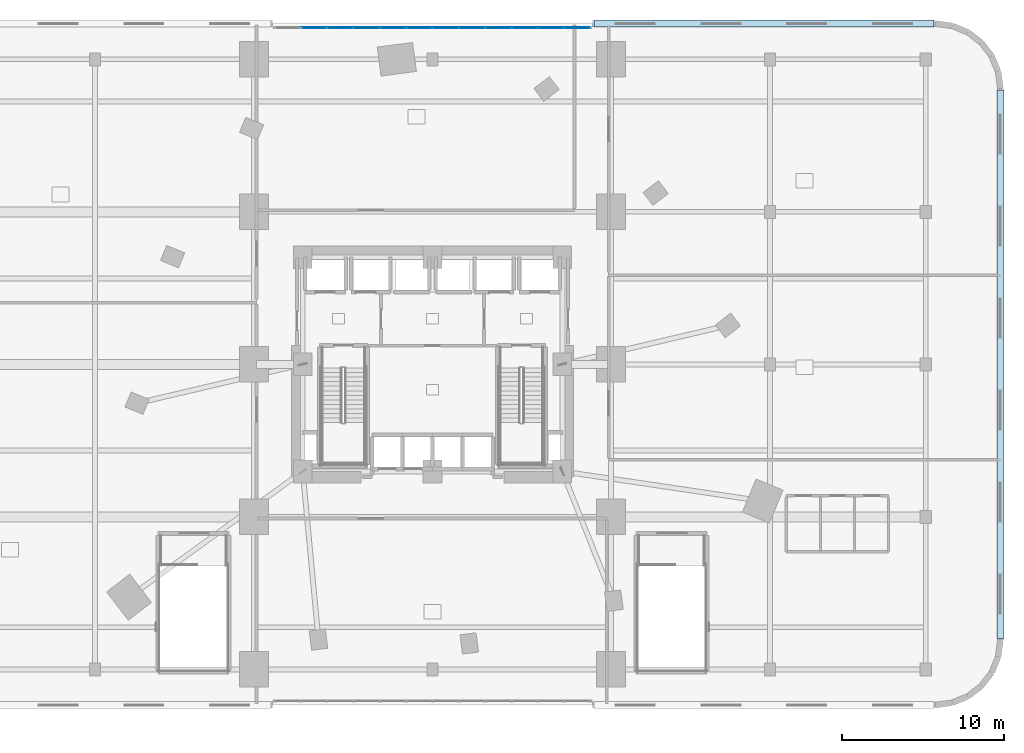
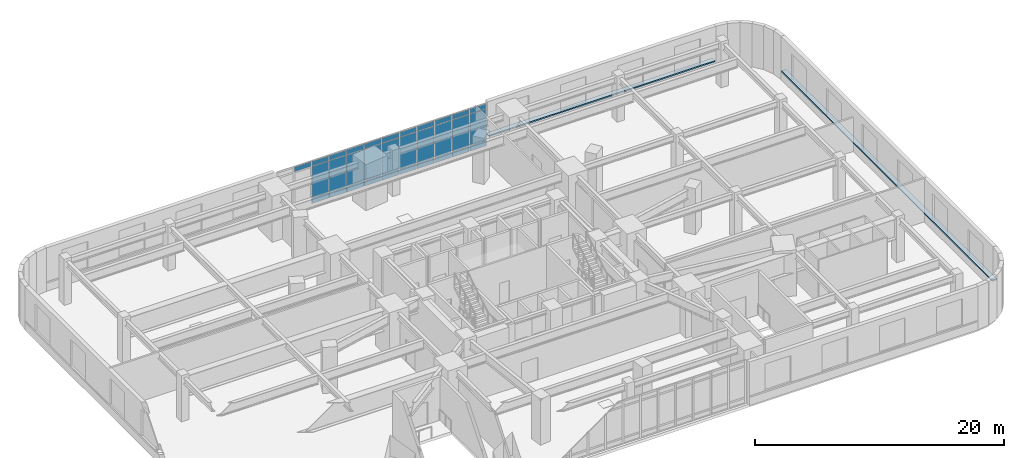
# One storey, part 12 of 20: 33 plates, 1 element without a shape of its own.
"""IFC4 building model written with IfcOpenShell, lengths in metres."""

import ifcopenshell
import ifcopenshell.guid

model = None  # the IFC model being written
_history = None  # IfcOwnerHistory: only IFC2X3 demands one
_inside = {}  # id of a spatial element -> (the spatial element, [elements in it])
_under = {}  # id of a project, library or spatial element -> (it, [spatial elements below it])
_declared = {}  # id of a project -> (the project, [libraries it declares])
_typed = {}  # id of a type object -> (the type object, [elements of that type])
_made_of = {}  # id of a material, layer set ... -> (it, [elements and type objects made of it])


def new_model(schema):
    """Start an empty IFC model of exactly this schema.

    Asked for "IFC4X3", IfcOpenShell would pick the latest addendum, in which some entities
    have other attributes; the version numbers below select the first issue.
    IFC2X3 requires an IfcOwnerHistory on every rooted entity: one is made here for all.
    """
    global model, _history
    if schema == "IFC4X3":
        model = ifcopenshell.file(schema_version=(4, 3, 0, 0))
    else:
        model = ifcopenshell.file(schema=schema)
    _inside.clear()
    _under.clear()
    _declared.clear()
    _typed.clear()
    _made_of.clear()
    _history = None
    if model.schema == "IFC2X3":
        org = make("IfcOrganization", Name="unknown")
        user = make(
            "IfcPersonAndOrganization",
            ThePerson=make("IfcPerson", FamilyName="unknown"),
            TheOrganization=org,
        )
        app = make(
            "IfcApplication",
            ApplicationDeveloper=org,
            Version="unknown",
            ApplicationFullName="unknown",
            ApplicationIdentifier="unknown",
        )
        _history = make(
            "IfcOwnerHistory",
            OwningUser=user,
            OwningApplication=app,
            ChangeAction="ADDED",
            CreationDate=0,
        )
    return model


def make(cls, **values):
    """One entity of the class cls with the attributes given. An attribute that is None is left unset."""
    return model.create_entity(
        cls, **{name: value for name, value in values.items() if value is not None}
    )


def rooted(cls, **values):
    """An entity with a GlobalId (a new one), such as an element, a storey or a relation."""
    return make(cls, GlobalId=ifcopenshell.guid.new(), OwnerHistory=_history, **values)


def si_unit(unit_type, name, prefix=None):
    """IfcSIUnit, for example si_unit("LENGTHUNIT", "METRE", prefix="MILLI")."""
    return make("IfcSIUnit", UnitType=unit_type, Prefix=prefix, Name=name)


def assignment(units):
    """IfcUnitAssignment: the units of a project."""
    return None if units is None else make("IfcUnitAssignment", Units=units)


def point(xyz):
    """IfcCartesianPoint."""
    return None if xyz is None else make("IfcCartesianPoint", Coordinates=xyz)


def direction(xyz):
    """IfcDirection."""
    return None if xyz is None else make("IfcDirection", DirectionRatios=xyz)


def frame(location, z_axis=None, x_axis=None):
    """IfcAxis2Placement3D, a coordinate frame: its origin and axes. An axis left out is left unset."""
    return make(
        "IfcAxis2Placement3D",
        Location=point(location),
        Axis=direction(z_axis),
        RefDirection=direction(x_axis),
    )


def frame_2d(location, x_axis=None):
    """IfcAxis2Placement2D, a coordinate frame in the plane: its origin and x axis."""
    return make(
        "IfcAxis2Placement2D", Location=point(location), RefDirection=direction(x_axis)
    )


def origin():
    """The frame at (0, 0, 0) with its axes left unset."""
    return frame((0.0, 0.0, 0.0))


def origin_2d():
    """The frame at (0, 0) in the plane with its x axis left unset."""
    return frame_2d((0.0, 0.0))


def place(relative_to, where):
    """IfcLocalPlacement: puts the frame where relative to a parent placement (None: the world)."""
    return make(
        "IfcLocalPlacement", PlacementRelTo=relative_to, RelativePlacement=where
    )


def context(
    kind, dimensions, precision=None, world=None, true_north=None, identifier=None
):
    """IfcGeometricRepresentationContext, for example the 3D "Model" context."""
    return make(
        "IfcGeometricRepresentationContext",
        ContextIdentifier=identifier,
        ContextType=kind,
        CoordinateSpaceDimension=dimensions,
        Precision=precision,
        WorldCoordinateSystem=world,
        TrueNorth=true_north,
    )


def subcontext(parent, identifier, kind, view, scale=None):
    """IfcGeometricRepresentationSubContext, for example "Body" below "Model"."""
    return make(
        "IfcGeometricRepresentationSubContext",
        ContextIdentifier=identifier,
        ContextType=kind,
        ParentContext=parent,
        TargetScale=scale,
        TargetView=view,
    )


def project(units=None, contexts=None):
    """IfcProject with its units and contexts."""
    return rooted(
        "IfcProject",
        Name="project",
        RepresentationContexts=contexts,
        UnitsInContext=assignment(units),
    )


def spatial(cls, under=None, at=None, **own):
    """A site, building, storey or space (cls), placed at a placement, below another one or the project."""
    s = rooted(cls, ObjectPlacement=at, **own)
    if under is not None:
        _under.setdefault(under.id(), (under, []))[1].append(s)
    return s


def profile(cls, at=None, kind="AREA", **sizes):
    """A parametric profile (cls). Its sizes go by their IFC names, for example OverallWidth=200.0."""
    return make(cls, ProfileType=kind, Position=at, **sizes)


def rectangle(**sizes):
    """IfcRectangleProfileDef."""
    return profile("IfcRectangleProfileDef", **sizes)


def extrude(swept, where, along, depth):
    """IfcExtrudedAreaSolid: the profile swept, set in the frame where, extruded along a direction by depth."""
    return make(
        "IfcExtrudedAreaSolid",
        SweptArea=swept,
        Position=where,
        ExtrudedDirection=direction(along),
        Depth=depth,
    )


def shape(context_of_items, identifier, shape_type, items):
    """IfcShapeRepresentation: the items that make up one representation, for example the "Body"."""
    return make(
        "IfcShapeRepresentation",
        ContextOfItems=context_of_items,
        RepresentationIdentifier=identifier,
        RepresentationType=shape_type,
        Items=items,
    )


def material(Name=None, Category=None):
    """IfcMaterial."""
    return make("IfcMaterial", Name=Name, Category=Category)


def layer(
    of_material, thickness, ventilated=None, Name=None, Category=None, Priority=None
):
    """IfcMaterialLayer: one layer of a wall or slab, of a material (None: an air gap)."""
    return make(
        "IfcMaterialLayer",
        Material=of_material,
        LayerThickness=thickness,
        IsVentilated=ventilated,
        Name=Name,
        Category=Category,
        Priority=Priority,
    )


def layer_set(layers, Name=None):
    """IfcMaterialLayerSet."""
    return make("IfcMaterialLayerSet", MaterialLayers=layers, LayerSetName=Name)


def made_of(thing, what):
    """Note that an element or type object is made of a material, layer set ...; save() writes the relation."""
    if what is not None:
        _made_of.setdefault(what.id(), (what, []))[1].append(thing)
    return thing


def type_object(cls, material=None, **own):
    """A type object (cls), such as IfcWallType, which elements share."""
    return made_of(rooted(cls, **own), material)


def element(
    cls,
    number,
    at=None,
    inside=None,
    cuts=None,
    type_object=None,
    material=None,
    context=None,
    identifier="Body",
    shape_type=None,
    held_by="IfcProductDefinitionShape",
    body=None,
    shapes=None,
    **own,
):
    """One element of the class cls, such as IfcWall. Its Tag is "e" and its number.

    at: its placement. inside: the storey or other place that contains it. cuts: it is an
    opening in that element (IfcRelVoidsElement). A single representation is given by context,
    identifier, shape_type and body (its items); several are given by shapes. held_by: the class
    of the entity that holds the representations. save() writes the other relations.
    """
    e = rooted(cls, Tag="e%d" % number, ObjectPlacement=at, **own)
    if body is not None:
        shapes = [shape(context, identifier, shape_type, body)]
    if shapes is not None:
        e.Representation = make(held_by, Representations=shapes)
    if inside is not None:
        _inside.setdefault(inside.id(), (inside, []))[1].append(e)
    if cuts is not None:
        rooted(
            "IfcRelVoidsElement", RelatingBuildingElement=cuts, RelatedOpeningElement=e
        )
    if type_object is not None:
        _typed.setdefault(type_object.id(), (type_object, []))[1].append(e)
    return made_of(e, material)


def aggregate(whole, parts):
    """IfcRelAggregates: a whole, such as a stair, and the parts it consists of."""
    return rooted("IfcRelAggregates", RelatingObject=whole, RelatedObjects=parts)


def save(model, path):
    """Write the relations noted so far, then the file.

    IfcRelAggregates (storeys below a building ...), IfcRelContainedInSpatialStructure (elements
    in a storey), IfcRelDefinesByType, IfcRelAssociatesMaterial and IfcRelDeclares: one each for
    every whole, place, type object, material and project.
    """
    for whole, parts in _under.values():
        aggregate(whole, parts)
    for where, things in _inside.values():
        rooted(
            "IfcRelContainedInSpatialStructure",
            RelatedElements=things,
            RelatingStructure=where,
        )
    for kind, things in _typed.values():
        rooted("IfcRelDefinesByType", RelatedObjects=things, RelatingType=kind)
    for what, things in _made_of.values():
        rooted("IfcRelAssociatesMaterial", RelatedObjects=things, RelatingMaterial=what)
    for by, libraries in _declared.values():
        rooted("IfcRelDeclares", RelatingContext=by, RelatedDefinitions=libraries)
    model.write(path)


model = new_model("IFC4")

# Units and contexts
model_context = context("Model", 3, precision=1e-05, world=origin(), true_north=direction((0.0, 1.0)))
body_context = subcontext(model_context, "Body", "Model", "MODEL_VIEW")
ifc_project = project(units=[si_unit("LENGTHUNIT", "METRE"), si_unit("AREAUNIT", "SQUARE_METRE"), si_unit("VOLUMEUNIT", "CUBIC_METRE"), si_unit("PLANEANGLEUNIT", "RADIAN"), si_unit("MASSUNIT", "GRAM", prefix="KILO")], contexts=[model_context])

# Site, building, storey
site_placement = place(None, origin())
site = spatial("IfcSite", under=ifc_project, at=site_placement, CompositionType="ELEMENT")
building_placement = place(site_placement, origin())
building = spatial("IfcBuilding", under=site, at=building_placement, Name="Ndelora Gate Hotel", CompositionType="ELEMENT")
storey_placement = place(building_placement, frame((0.0, 0.0, 26.0)))
storey = spatial("IfcBuildingStorey", under=building, at=storey_placement, Name="L05", CompositionType="ELEMENT", Elevation=26.0)

# Curtain wall, plates
ifc_material_1 = material(Name="Bronze Anodised Unitised Aluminium and Low-E Glass", Category="aluminium")
ifc_layer_1 = layer(ifc_material_1, 0.219970703125)
ifc_layer_set_1 = layer_set([ifc_layer_1], Name="Bronze Anodised Unitised Aluminium and Low-E Glass")
curtain_wall_type = type_object("IfcCurtainWallType", Name="CW-SYS-2", PredefinedType="NOTDEFINED", material=ifc_layer_set_1)
curtain_wall_placement = place(storey_placement, origin())
curtain_wall = element("IfcCurtainWall", 1, at=curtain_wall_placement, inside=storey, type_object=curtain_wall_type, Name="L05 North Banquet Pre-Function Curtain Wall CW2", PredefinedType="NOTDEFINED")
ifc_material_2 = material(Name="Solar-Control Low-E Insulated Glazing", Category="glass")
ifc_layer_2 = layer(ifc_material_2, 0.048095703125)
ifc_layer_set_2 = layer_set([ifc_layer_2], Name="Solar-Control Low-E Insulated Glazing")
plate_type_1 = type_object("IfcPlateType", Name="PL-CW-GLZ36", PredefinedType="CURTAIN_PANEL", material=ifc_layer_set_2)
plate_1_placement = place(storey_placement, frame((8.919921875, 20.75, 0.05908203125), z_axis=(0.0, 0.0, 1.0), x_axis=(-1.0, 0.0, 0.0)))
plate_1 = element("IfcPlate", 2, at=plate_1_placement, type_object=plate_type_1, Name="CW2 panel 1.1", PredefinedType="CURTAIN_PANEL", context=body_context, shape_type="SweptSolid", body=[
    extrude(rectangle(XDim=1.531982421875, YDim=0.048095703125, at=origin_2d()), origin(), (0.0, 0.0, 1.0), 0.514404296875),
])
plate_2_placement = place(storey_placement, frame((8.919921875, 20.75, 0.62646484375), z_axis=(0.0, 0.0, 1.0), x_axis=(-1.0, 0.0, 0.0)))
plate_2 = element("IfcPlate", 3, at=plate_2_placement, type_object=plate_type_1, Name="CW2 panel 1.2", PredefinedType="CURTAIN_PANEL", context=body_context, shape_type="SweptSolid", body=[
    extrude(rectangle(XDim=1.531982421875, YDim=0.048095703125, at=origin_2d()), origin(), (0.0, 0.0, 1.0), 3.047119140625),
])
plate_3_placement = place(storey_placement, frame((8.919921875, 20.75, 3.7265625), z_axis=(0.0, 0.0, 1.0), x_axis=(-1.0, 0.0, 0.0)))
plate_3 = element("IfcPlate", 4, at=plate_3_placement, type_object=plate_type_1, Name="CW2 panel 1.3", PredefinedType="CURTAIN_PANEL", context=body_context, shape_type="SweptSolid", body=[
    extrude(rectangle(XDim=1.531982421875, YDim=0.048095703125, at=origin_2d()), origin(), (0.0, 0.0, 1.0), 0.464599609375),
])
plate_4_placement = place(storey_placement, frame((7.3125, 20.75, 0.05908203125), z_axis=(0.0, 0.0, 1.0), x_axis=(-1.0, 0.0, 0.0)))
plate_4 = element("IfcPlate", 5, at=plate_4_placement, type_object=plate_type_1, Name="CW2 panel 2.1", PredefinedType="CURTAIN_PANEL", context=body_context, shape_type="SweptSolid", body=[
    extrude(rectangle(XDim=1.56689453125, YDim=0.048095703125, at=origin_2d()), origin(), (0.0, 0.0, 1.0), 0.514404296875),
])
plate_5_placement = place(storey_placement, frame((7.3125, 20.75, 0.62646484375), z_axis=(0.0, 0.0, 1.0), x_axis=(-1.0, 0.0, 0.0)))
plate_5 = element("IfcPlate", 6, at=plate_5_placement, type_object=plate_type_1, Name="CW2 panel 2.2", PredefinedType="CURTAIN_PANEL", context=body_context, shape_type="SweptSolid", body=[
    extrude(rectangle(XDim=1.56689453125, YDim=0.048095703125, at=origin_2d()), origin(), (0.0, 0.0, 1.0), 3.047119140625),
])
plate_6_placement = place(storey_placement, frame((7.3125, 20.75, 3.7265625), z_axis=(0.0, 0.0, 1.0), x_axis=(-1.0, 0.0, 0.0)))
plate_6 = element("IfcPlate", 7, at=plate_6_placement, type_object=plate_type_1, Name="CW2 panel 2.3", PredefinedType="CURTAIN_PANEL", context=body_context, shape_type="SweptSolid", body=[
    extrude(rectangle(XDim=1.56689453125, YDim=0.048095703125, at=origin_2d()), origin(), (0.0, 0.0, 1.0), 0.464599609375),
])
plate_7_placement = place(storey_placement, frame((5.6875, 20.75, 0.05908203125), z_axis=(0.0, 0.0, 1.0), x_axis=(-1.0, 0.0, 0.0)))
plate_7 = element("IfcPlate", 8, at=plate_7_placement, type_object=plate_type_1, Name="CW2 panel 3.1", PredefinedType="CURTAIN_PANEL", context=body_context, shape_type="SweptSolid", body=[
    extrude(rectangle(XDim=1.56689453125, YDim=0.048095703125, at=origin_2d()), origin(), (0.0, 0.0, 1.0), 0.514404296875),
])
plate_8_placement = place(storey_placement, frame((5.6875, 20.75, 0.62646484375), z_axis=(0.0, 0.0, 1.0), x_axis=(-1.0, 0.0, 0.0)))
plate_8 = element("IfcPlate", 9, at=plate_8_placement, type_object=plate_type_1, Name="CW2 panel 3.2", PredefinedType="CURTAIN_PANEL", context=body_context, shape_type="SweptSolid", body=[
    extrude(rectangle(XDim=1.56689453125, YDim=0.048095703125, at=origin_2d()), origin(), (0.0, 0.0, 1.0), 3.047119140625),
])
plate_9_placement = place(storey_placement, frame((5.6875, 20.75, 3.7265625), z_axis=(0.0, 0.0, 1.0), x_axis=(-1.0, 0.0, 0.0)))
plate_9 = element("IfcPlate", 10, at=plate_9_placement, type_object=plate_type_1, Name="CW2 panel 3.3", PredefinedType="CURTAIN_PANEL", context=body_context, shape_type="SweptSolid", body=[
    extrude(rectangle(XDim=1.56689453125, YDim=0.048095703125, at=origin_2d()), origin(), (0.0, 0.0, 1.0), 0.464599609375),
])
plate_10_placement = place(storey_placement, frame((4.0625, 20.75, 0.05908203125), z_axis=(0.0, 0.0, 1.0), x_axis=(-1.0, 0.0, 0.0)))
plate_10 = element("IfcPlate", 11, at=plate_10_placement, type_object=plate_type_1, Name="CW2 panel 4.1", PredefinedType="CURTAIN_PANEL", context=body_context, shape_type="SweptSolid", body=[
    extrude(rectangle(XDim=1.56689453125, YDim=0.048095703125, at=origin_2d()), origin(), (0.0, 0.0, 1.0), 0.514404296875),
])
plate_11_placement = place(storey_placement, frame((4.0625, 20.75, 0.62646484375), z_axis=(0.0, 0.0, 1.0), x_axis=(-1.0, 0.0, 0.0)))
plate_11 = element("IfcPlate", 12, at=plate_11_placement, type_object=plate_type_1, Name="CW2 panel 4.2", PredefinedType="CURTAIN_PANEL", context=body_context, shape_type="SweptSolid", body=[
    extrude(rectangle(XDim=1.56689453125, YDim=0.048095703125, at=origin_2d()), origin(), (0.0, 0.0, 1.0), 3.047119140625),
])
plate_12_placement = place(storey_placement, frame((4.0625, 20.75, 3.7265625), z_axis=(0.0, 0.0, 1.0), x_axis=(-1.0, 0.0, 0.0)))
plate_12 = element("IfcPlate", 13, at=plate_12_placement, type_object=plate_type_1, Name="CW2 panel 4.3", PredefinedType="CURTAIN_PANEL", context=body_context, shape_type="SweptSolid", body=[
    extrude(rectangle(XDim=1.56689453125, YDim=0.048095703125, at=origin_2d()), origin(), (0.0, 0.0, 1.0), 0.464599609375),
])
plate_13_placement = place(storey_placement, frame((2.4375, 20.75, 0.05908203125), z_axis=(0.0, 0.0, 1.0), x_axis=(-1.0, 0.0, 0.0)))
plate_13 = element("IfcPlate", 14, at=plate_13_placement, type_object=plate_type_1, Name="CW2 panel 5.1", PredefinedType="CURTAIN_PANEL", context=body_context, shape_type="SweptSolid", body=[
    extrude(rectangle(XDim=1.56689453125, YDim=0.048095703125, at=origin_2d()), origin(), (0.0, 0.0, 1.0), 0.514404296875),
])
plate_14_placement = place(storey_placement, frame((2.4375, 20.75, 0.62646484375), z_axis=(0.0, 0.0, 1.0), x_axis=(-1.0, 0.0, 0.0)))
plate_14 = element("IfcPlate", 15, at=plate_14_placement, type_object=plate_type_1, Name="CW2 panel 5.2", PredefinedType="CURTAIN_PANEL", context=body_context, shape_type="SweptSolid", body=[
    extrude(rectangle(XDim=1.56689453125, YDim=0.048095703125, at=origin_2d()), origin(), (0.0, 0.0, 1.0), 3.047119140625),
])
plate_15_placement = place(storey_placement, frame((2.4375, 20.75, 3.7265625), z_axis=(0.0, 0.0, 1.0), x_axis=(-1.0, 0.0, 0.0)))
plate_15 = element("IfcPlate", 16, at=plate_15_placement, type_object=plate_type_1, Name="CW2 panel 5.3", PredefinedType="CURTAIN_PANEL", context=body_context, shape_type="SweptSolid", body=[
    extrude(rectangle(XDim=1.56689453125, YDim=0.048095703125, at=origin_2d()), origin(), (0.0, 0.0, 1.0), 0.464599609375),
])
plate_16_placement = place(storey_placement, frame((0.8125, 20.75, 0.05908203125), z_axis=(0.0, 0.0, 1.0), x_axis=(-1.0, 0.0, 0.0)))
plate_16 = element("IfcPlate", 17, at=plate_16_placement, type_object=plate_type_1, Name="CW2 panel 6.1", PredefinedType="CURTAIN_PANEL", context=body_context, shape_type="SweptSolid", body=[
    extrude(rectangle(XDim=1.56689453125, YDim=0.048095703125, at=origin_2d()), origin(), (0.0, 0.0, 1.0), 0.514404296875),
])
plate_17_placement = place(storey_placement, frame((0.8125, 20.75, 0.62646484375), z_axis=(0.0, 0.0, 1.0), x_axis=(-1.0, 0.0, 0.0)))
plate_17 = element("IfcPlate", 18, at=plate_17_placement, type_object=plate_type_1, Name="CW2 panel 6.2", PredefinedType="CURTAIN_PANEL", context=body_context, shape_type="SweptSolid", body=[
    extrude(rectangle(XDim=1.56689453125, YDim=0.048095703125, at=origin_2d()), origin(), (0.0, 0.0, 1.0), 3.047119140625),
])
plate_18_placement = place(storey_placement, frame((0.8125, 20.75, 3.7265625), z_axis=(0.0, 0.0, 1.0), x_axis=(-1.0, 0.0, 0.0)))
plate_18 = element("IfcPlate", 19, at=plate_18_placement, type_object=plate_type_1, Name="CW2 panel 6.3", PredefinedType="CURTAIN_PANEL", context=body_context, shape_type="SweptSolid", body=[
    extrude(rectangle(XDim=1.56689453125, YDim=0.048095703125, at=origin_2d()), origin(), (0.0, 0.0, 1.0), 0.464599609375),
])
plate_19_placement = place(storey_placement, frame((-0.8125, 20.75, 0.05908203125), z_axis=(0.0, 0.0, 1.0), x_axis=(-1.0, 0.0, 0.0)))
plate_19 = element("IfcPlate", 20, at=plate_19_placement, type_object=plate_type_1, Name="CW2 panel 7.1", PredefinedType="CURTAIN_PANEL", context=body_context, shape_type="SweptSolid", body=[
    extrude(rectangle(XDim=1.56689453125, YDim=0.048095703125, at=origin_2d()), origin(), (0.0, 0.0, 1.0), 0.514404296875),
])
plate_20_placement = place(storey_placement, frame((-0.8125, 20.75, 0.62646484375), z_axis=(0.0, 0.0, 1.0), x_axis=(-1.0, 0.0, 0.0)))
plate_20 = element("IfcPlate", 21, at=plate_20_placement, type_object=plate_type_1, Name="CW2 panel 7.2", PredefinedType="CURTAIN_PANEL", context=body_context, shape_type="SweptSolid", body=[
    extrude(rectangle(XDim=1.56689453125, YDim=0.048095703125, at=origin_2d()), origin(), (0.0, 0.0, 1.0), 3.047119140625),
])
plate_21_placement = place(storey_placement, frame((-0.8125, 20.75, 3.7265625), z_axis=(0.0, 0.0, 1.0), x_axis=(-1.0, 0.0, 0.0)))
plate_21 = element("IfcPlate", 22, at=plate_21_placement, type_object=plate_type_1, Name="CW2 panel 7.3", PredefinedType="CURTAIN_PANEL", context=body_context, shape_type="SweptSolid", body=[
    extrude(rectangle(XDim=1.56689453125, YDim=0.048095703125, at=origin_2d()), origin(), (0.0, 0.0, 1.0), 0.464599609375),
])
plate_22_placement = place(storey_placement, frame((-2.4375, 20.75, 0.05908203125), z_axis=(0.0, 0.0, 1.0), x_axis=(-1.0, 0.0, 0.0)))
plate_22 = element("IfcPlate", 23, at=plate_22_placement, type_object=plate_type_1, Name="CW2 panel 8.1", PredefinedType="CURTAIN_PANEL", context=body_context, shape_type="SweptSolid", body=[
    extrude(rectangle(XDim=1.56689453125, YDim=0.048095703125, at=origin_2d()), origin(), (0.0, 0.0, 1.0), 0.514404296875),
])
plate_23_placement = place(storey_placement, frame((-2.4375, 20.75, 0.62646484375), z_axis=(0.0, 0.0, 1.0), x_axis=(-1.0, 0.0, 0.0)))
plate_23 = element("IfcPlate", 24, at=plate_23_placement, type_object=plate_type_1, Name="CW2 panel 8.2", PredefinedType="CURTAIN_PANEL", context=body_context, shape_type="SweptSolid", body=[
    extrude(rectangle(XDim=1.56689453125, YDim=0.048095703125, at=origin_2d()), origin(), (0.0, 0.0, 1.0), 3.047119140625),
])
plate_24_placement = place(storey_placement, frame((-2.4375, 20.75, 3.7265625), z_axis=(0.0, 0.0, 1.0), x_axis=(-1.0, 0.0, 0.0)))
plate_24 = element("IfcPlate", 25, at=plate_24_placement, type_object=plate_type_1, Name="CW2 panel 8.3", PredefinedType="CURTAIN_PANEL", context=body_context, shape_type="SweptSolid", body=[
    extrude(rectangle(XDim=1.56689453125, YDim=0.048095703125, at=origin_2d()), origin(), (0.0, 0.0, 1.0), 0.464599609375),
])
plate_25_placement = place(storey_placement, frame((-4.0625, 20.75, 0.05908203125), z_axis=(0.0, 0.0, 1.0), x_axis=(-1.0, 0.0, 0.0)))
plate_25 = element("IfcPlate", 26, at=plate_25_placement, type_object=plate_type_1, Name="CW2 panel 9.1", PredefinedType="CURTAIN_PANEL", context=body_context, shape_type="SweptSolid", body=[
    extrude(rectangle(XDim=1.56689453125, YDim=0.048095703125, at=origin_2d()), origin(), (0.0, 0.0, 1.0), 0.514404296875),
])
plate_26_placement = place(storey_placement, frame((-4.0625, 20.75, 0.62646484375), z_axis=(0.0, 0.0, 1.0), x_axis=(-1.0, 0.0, 0.0)))
plate_26 = element("IfcPlate", 27, at=plate_26_placement, type_object=plate_type_1, Name="CW2 panel 9.2", PredefinedType="CURTAIN_PANEL", context=body_context, shape_type="SweptSolid", body=[
    extrude(rectangle(XDim=1.56689453125, YDim=0.048095703125, at=origin_2d()), origin(), (0.0, 0.0, 1.0), 3.047119140625),
])
plate_27_placement = place(storey_placement, frame((-4.0625, 20.75, 3.7265625), z_axis=(0.0, 0.0, 1.0), x_axis=(-1.0, 0.0, 0.0)))
plate_27 = element("IfcPlate", 28, at=plate_27_placement, type_object=plate_type_1, Name="CW2 panel 9.3", PredefinedType="CURTAIN_PANEL", context=body_context, shape_type="SweptSolid", body=[
    extrude(rectangle(XDim=1.56689453125, YDim=0.048095703125, at=origin_2d()), origin(), (0.0, 0.0, 1.0), 0.464599609375),
])
plate_28_placement = place(storey_placement, frame((-5.6875, 20.75, 0.05908203125), z_axis=(0.0, 0.0, 1.0), x_axis=(-1.0, 0.0, 0.0)))
plate_28 = element("IfcPlate", 29, at=plate_28_placement, type_object=plate_type_1, Name="CW2 panel 10.1", PredefinedType="CURTAIN_PANEL", context=body_context, shape_type="SweptSolid", body=[
    extrude(rectangle(XDim=1.56689453125, YDim=0.048095703125, at=origin_2d()), origin(), (0.0, 0.0, 1.0), 0.514404296875),
])
plate_29_placement = place(storey_placement, frame((-5.6875, 20.75, 0.62646484375), z_axis=(0.0, 0.0, 1.0), x_axis=(-1.0, 0.0, 0.0)))
plate_29 = element("IfcPlate", 30, at=plate_29_placement, type_object=plate_type_1, Name="CW2 panel 10.2", PredefinedType="CURTAIN_PANEL", context=body_context, shape_type="SweptSolid", body=[
    extrude(rectangle(XDim=1.56689453125, YDim=0.048095703125, at=origin_2d()), origin(), (0.0, 0.0, 1.0), 3.047119140625),
])
plate_30_placement = place(storey_placement, frame((-5.6875, 20.75, 3.7265625), z_axis=(0.0, 0.0, 1.0), x_axis=(-1.0, 0.0, 0.0)))
plate_30 = element("IfcPlate", 31, at=plate_30_placement, type_object=plate_type_1, Name="CW2 panel 10.3", PredefinedType="CURTAIN_PANEL", context=body_context, shape_type="SweptSolid", body=[
    extrude(rectangle(XDim=1.56689453125, YDim=0.048095703125, at=origin_2d()), origin(), (0.0, 0.0, 1.0), 0.464599609375),
])
plate_31_placement = place(storey_placement, frame((-7.3125, 20.75, 3.7265625), z_axis=(0.0, 0.0, 1.0), x_axis=(-1.0, 0.0, 0.0)))
plate_31 = element("IfcPlate", 32, at=plate_31_placement, type_object=plate_type_1, Name="CW2 panel 11.3", PredefinedType="CURTAIN_PANEL", context=body_context, shape_type="SweptSolid", body=[
    extrude(rectangle(XDim=1.56689453125, YDim=0.048095703125, at=origin_2d()), origin(), (0.0, 0.0, 1.0), 0.464599609375),
])
aggregate(curtain_wall, [plate_1, plate_2, plate_3, plate_4, plate_5, plate_6, plate_7, plate_8, plate_9, plate_10, plate_11, plate_12, plate_13, plate_14, plate_15, plate_16, plate_17, plate_18, plate_19, plate_20, plate_21, plate_22, plate_23, plate_24, plate_25, plate_26, plate_27, plate_28, plate_29, plate_30, plate_31])

# Plates
ifc_material_3 = material(Name="Precast concrete C40/50", Category="concrete")
ifc_layer_3 = layer(ifc_material_3, 0.125)
ifc_layer_set_3 = layer_set([ifc_layer_3], Name="Precast concrete C40/50")
plate_type_2 = type_object("IfcPlateType", Name="PL-SILL-120", PredefinedType="USERDEFINED", material=ifc_layer_set_3)
plate_32_placement = place(storey_placement, frame((35.0, 0.0, 0.8173828125), z_axis=(0.0, 0.0, 1.0), x_axis=(0.0, 1.0, 0.0)))
element("IfcPlate", 33, at=plate_32_placement, inside=storey, type_object=plate_type_2, Name="L05 Precast Concrete Ribbon Sill Band 7", ObjectType="RIBBON_SILL", PredefinedType="USERDEFINED", context=body_context, shape_type="SweptSolid", body=[
    extrude(rectangle(XDim=33.800048828125, YDim=0.43994140625, at=origin_2d()), origin(), (0.0, 0.0, 1.0), 0.125),
])
plate_33_placement = place(storey_placement, frame((20.425048828125, 21.0, 0.8173828125), z_axis=(0.0, 0.0, 1.0), x_axis=(1.0, 0.0, 0.0)))
element("IfcPlate", 34, at=plate_33_placement, inside=storey, type_object=plate_type_2, Name="L05 Precast Concrete Ribbon Sill Band 15", ObjectType="RIBBON_SILL", PredefinedType="USERDEFINED", context=body_context, shape_type="SweptSolid", body=[
    extrude(rectangle(XDim=20.949951171875, YDim=0.43994140625, at=origin_2d()), origin(), (0.0, 0.0, 1.0), 0.125),
])

save(model, "model.ifc")
